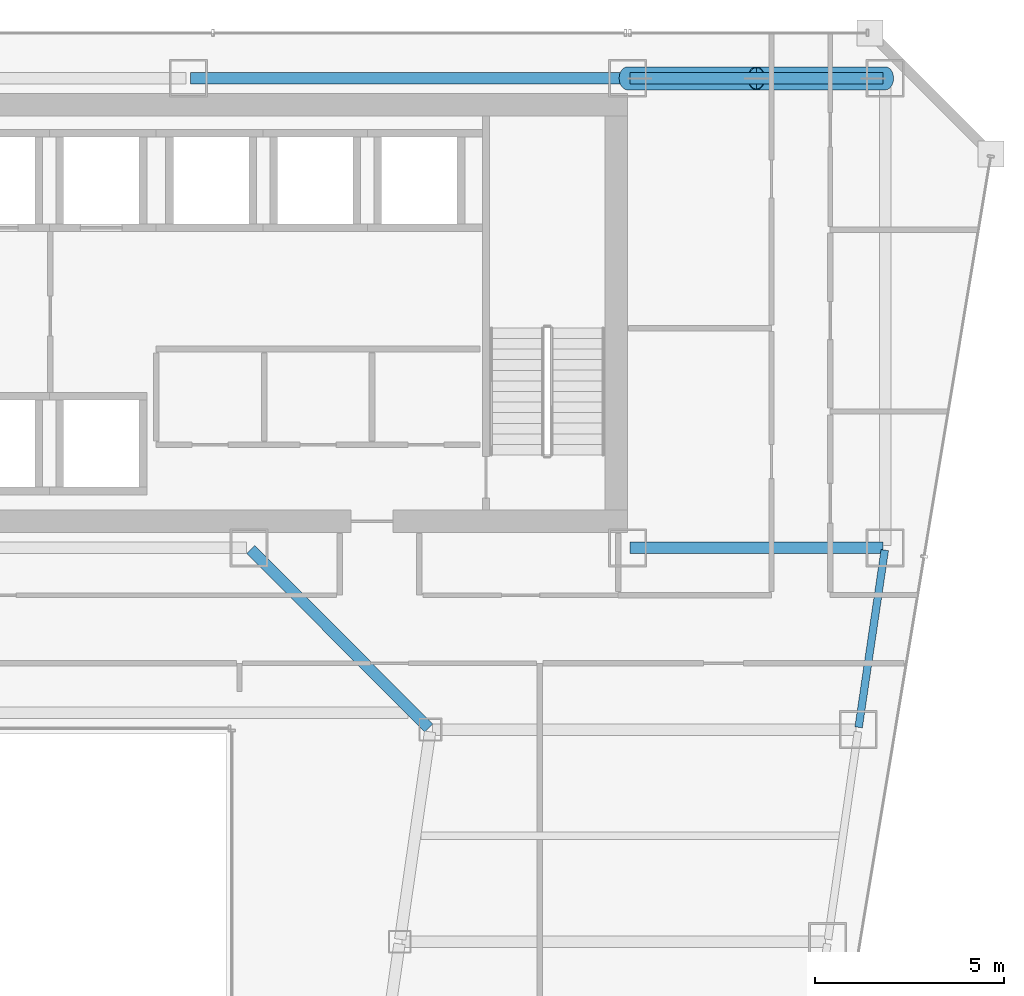
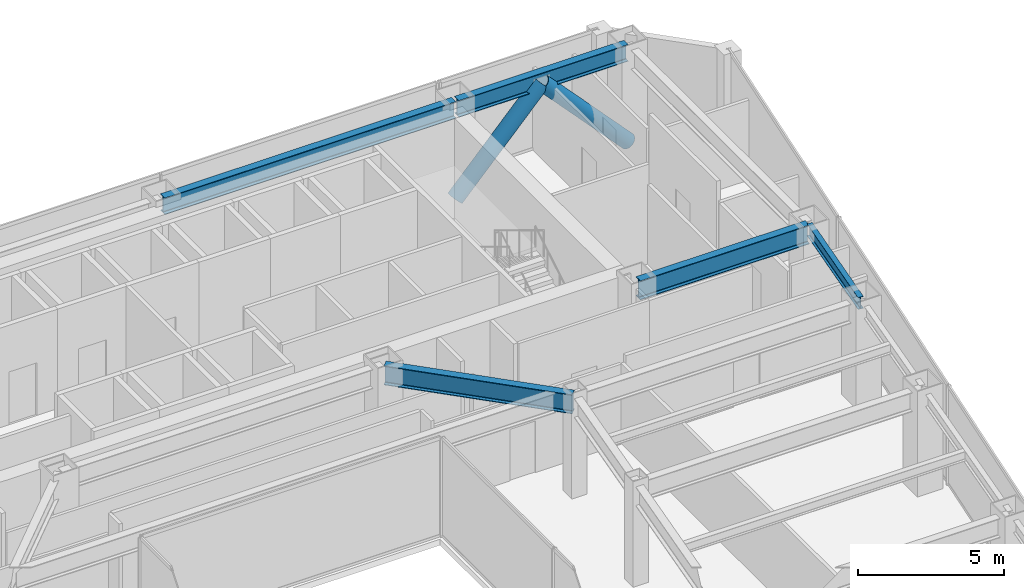
# One storey, part 26 of 37: 5 beams, 2 members.
"""IFC4 building model written with IfcOpenShell, lengths in metres."""

from ifc_helpers import new_model, si_unit, direction, frame, origin, origin_2d, place, context, subcontext, project, spatial, hollow_circle, i_section, extrude, material, material_profile, profile_set, type_object, element, save


model = new_model("IFC4")

# Units and contexts
model_context = context("Model", 3, precision=1e-05, world=origin(), true_north=direction((0.0, 1.0)))
body_context = subcontext(model_context, "Body", "Model", "MODEL_VIEW")
ifc_project = project(units=[si_unit("LENGTHUNIT", "METRE"), si_unit("AREAUNIT", "SQUARE_METRE"), si_unit("VOLUMEUNIT", "CUBIC_METRE"), si_unit("PLANEANGLEUNIT", "RADIAN"), si_unit("MASSUNIT", "GRAM", prefix="KILO")], contexts=[model_context])

# Site, building, storey
site_placement = place(None, origin())
site = spatial("IfcSite", under=ifc_project, at=site_placement, CompositionType="ELEMENT")
building_placement = place(site_placement, origin())
building = spatial("IfcBuilding", under=site, at=building_placement, Name="Saevonmaru Cultural Tower", CompositionType="ELEMENT")
storey_placement = place(building_placement, frame((0.0, 0.0, 110.39990234375)))
storey = spatial("IfcBuildingStorey", under=building, at=storey_placement, Name="L23", CompositionType="ELEMENT", Elevation=110.39990234375)

# Beams
ifc_material_1 = material(Name="Steel SM420", Category="steel")
ifc_material_profile_1 = material_profile(ifc_material_1, i_section(OverallWidth=0.300048828125, OverallDepth=0.800048828125, WebThickness=0.013916015625, FlangeThickness=0.02587890625, FilletRadius=0.028076171875, at=origin_2d()), Name="H-800x300x14x26")
ifc_profile_set_1 = profile_set([ifc_material_profile_1], Name="Steel SM420")
beam_type_1 = type_object("IfcBeamType", Name="BM-G-H800", PredefinedType="BEAM", material=ifc_profile_set_1)
beam_1_placement = place(storey_placement, frame((46.4599609375, 42.39990234375, 3.75), z_axis=(1.0, 0.0, 0.0), x_axis=(0.0, 1.0, 0.0)))
element("IfcBeam", 1, at=beam_1_placement, inside=storey, type_object=beam_type_1, Name="L23 Core South Girder 5", PredefinedType="BEAM", context=body_context, shape_type="SweptSolid", body=[
    extrude(i_section(OverallWidth=0.300048828125, OverallDepth=0.800048828125, WebThickness=0.013916015625, FlangeThickness=0.02587890625, FilletRadius=0.028076171875, at=origin_2d()), origin(), (0.0, 0.0, 1.0), 6.679931640625),
])
beam_2_placement = place(storey_placement, frame((41.149658203125, 37.642578125, 3.75), z_axis=(-0.706538566564, 0.707674539572, 0.0), x_axis=(-0.707674539572, -0.706538566564, 0.0)))
element("IfcBeam", 2, at=beam_2_placement, inside=storey, type_object=beam_type_1, Name="L23 East Atrium Girder 5", PredefinedType="BEAM", context=body_context, shape_type="SweptSolid", body=[
    extrude(i_section(OverallWidth=0.300048828125, OverallDepth=0.800048828125, WebThickness=0.013916015625, FlangeThickness=0.02587890625, FilletRadius=0.028076171875, at=origin_2d()), origin(), (0.0, 0.0, 1.0), 6.662353515625),
])
ifc_material_2 = material(Name="Steel SM355", Category="steel")
ifc_material_profile_2 = material_profile(ifc_material_2, i_section(OverallWidth=0.199951171875, OverallDepth=0.5, WebThickness=0.010009765625, FlangeThickness=0.01611328125, FilletRadius=0.02001953125, at=origin_2d()), Name="H-500x200x10x16")
ifc_profile_set_2 = profile_set([ifc_material_profile_2], Name="Steel SM355")
beam_type_2 = type_object("IfcBeamType", Name="BM-SP-H500", PredefinedType="SPANDREL", material=ifc_profile_set_2)
beam_3_placement = place(storey_placement, frame((52.500732421875, 37.659423828125, 3.900146484375), z_axis=(0.145912860028, 0.989297446312, 0.0), x_axis=(-0.989297446312, 0.145912860028, 0.0)))
element("IfcBeam", 3, at=beam_3_placement, inside=storey, type_object=beam_type_2, Name="L23 East Splayed Spandrel 5", PredefinedType="SPANDREL", context=body_context, shape_type="SweptSolid", body=[
    extrude(i_section(OverallWidth=0.199951171875, OverallDepth=0.5, WebThickness=0.010009765625, FlangeThickness=0.01611328125, FilletRadius=0.02001953125, at=origin_2d()), origin(), (0.0, 0.0, 1.0), 4.731689453125),
])
ifc_material_profile_3 = material_profile(ifc_material_2, i_section(OverallWidth=0.300048828125, OverallDepth=0.699951171875, WebThickness=0.012939453125, FlangeThickness=0.02392578125, FilletRadius=0.02587890625, at=origin_2d()), Name="H-700x300x13x24")
ifc_profile_set_3 = profile_set([ifc_material_profile_3], Name="Steel SM355")
beam_type_3 = type_object("IfcBeamType", Name="BM-SP-H700", PredefinedType="SPANDREL", material=ifc_profile_set_3)
beam_4_placement = place(storey_placement, frame((34.860107421875, 54.800048828125, 3.800048828125), z_axis=(1.0, 0.0, 0.0), x_axis=(0.0, 1.0, 0.0)))
element("IfcBeam", 4, at=beam_4_placement, inside=storey, type_object=beam_type_3, Name="L23 North Spine Girder 4", PredefinedType="SPANDREL", context=body_context, shape_type="SweptSolid", body=[
    extrude(i_section(OverallWidth=0.300048828125, OverallDepth=0.699951171875, WebThickness=0.012939453125, FlangeThickness=0.02392578125, FilletRadius=0.02587890625, at=origin_2d()), origin(), (0.0, 0.0, 1.0), 11.47998046875),
])
beam_5_placement = place(storey_placement, frame((46.4599609375, 54.800048828125, 3.800048828125), z_axis=(1.0, 0.0, 0.0), x_axis=(0.0, 1.0, 0.0)))
element("IfcBeam", 5, at=beam_5_placement, inside=storey, type_object=beam_type_3, Name="L23 North Spine Girder 5", PredefinedType="SPANDREL", context=body_context, shape_type="SweptSolid", body=[
    extrude(i_section(OverallWidth=0.300048828125, OverallDepth=0.699951171875, WebThickness=0.012939453125, FlangeThickness=0.02392578125, FilletRadius=0.02587890625, at=origin_2d()), origin(), (0.0, 0.0, 1.0), 6.679931640625),
])

# Members
ifc_material_3 = material(Name="Steel HSA600 (600 MPa)", Category="steel")
ifc_material_profile_4 = material_profile(ifc_material_3, hollow_circle(Radius=0.3046875, WallThickness=0.02490234375, at=origin_2d()), Name="CHS-609.6x25")
ifc_profile_set_4 = profile_set([ifc_material_profile_4], Name="Steel HSA600 (600 MPa)")
member_type = type_object("IfcMemberType", Name="MB-PBR-CHS610", PredefinedType="BRACE", material=ifc_profile_set_4)
member_1_placement = place(storey_placement, frame((46.39990234375, 54.800048828125, 0.02001953125), z_axis=(0.681604731977, 0.0, 0.731720567803), x_axis=(0.0, 1.0, 0.0)))
element("IfcMember", 6, at=member_1_placement, inside=storey, type_object=member_type, Name="L23 Perimeter Braced-Tube Diagonal EN1", PredefinedType="BRACE", context=body_context, shape_type="SweptSolid", body=[
    extrude(hollow_circle(Radius=0.3046875, WallThickness=0.02490234375, at=origin_2d()), origin(), (0.0, 0.0, 1.0), 4.988525390625),
])
member_2_placement = place(storey_placement, frame((53.199951171875, 54.800048828125, 0.02001953125), z_axis=(-0.681578526789, 0.0, 0.731744977311), x_axis=(0.0, -1.0, 0.0)))
element("IfcMember", 7, at=member_2_placement, inside=storey, type_object=member_type, Name="L23 Perimeter Braced-Tube Diagonal EN2", PredefinedType="BRACE", context=body_context, shape_type="SweptSolid", body=[
    extrude(hollow_circle(Radius=0.3046875, WallThickness=0.02490234375, at=origin_2d()), origin(), (0.0, 0.0, 1.0), 4.98828125),
])

save(model, "model.ifc")
